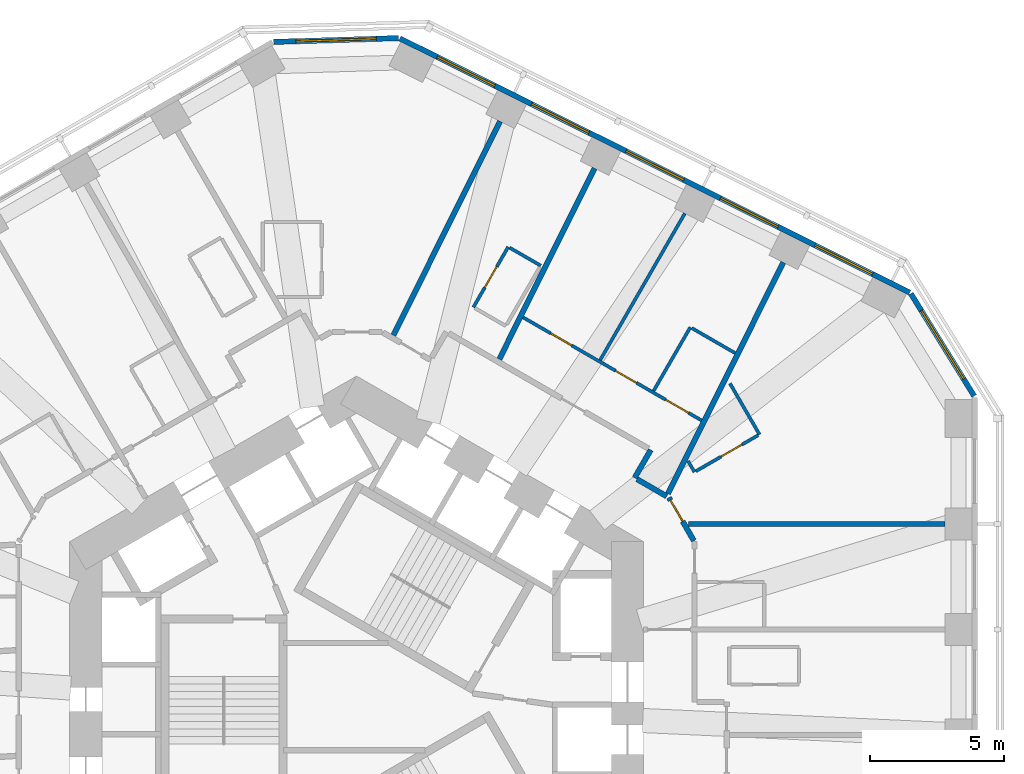
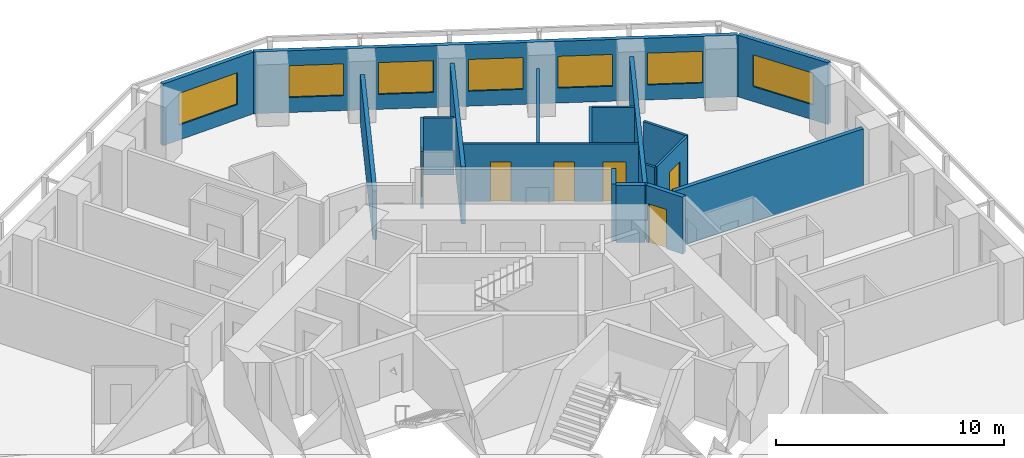
# One storey, part 9 of 12: 19 walls, 7 windows, 6 doors, 13 openings.
"""IFC4 building model written with IfcOpenShell, lengths in metres."""

from ifc_helpers import new_model, si_unit, direction, frame, frame_2d, origin, place, context, subcontext, project, spatial, rectangle, extrude, material, layer, layer_set, type_object, element, fill, save


model = new_model("IFC4")

# Units and contexts
model_context = context("Model", 3, precision=1e-05, world=origin(), true_north=direction((0.0, 1.0)))
body_context = subcontext(model_context, "Body", "Model", "MODEL_VIEW")
ifc_project = project(units=[si_unit("LENGTHUNIT", "METRE"), si_unit("AREAUNIT", "SQUARE_METRE"), si_unit("VOLUMEUNIT", "CUBIC_METRE"), si_unit("PLANEANGLEUNIT", "RADIAN"), si_unit("MASSUNIT", "GRAM", prefix="KILO")], contexts=[model_context])

# Site, building, storey
site_placement = place(None, origin())
site = spatial("IfcSite", under=ifc_project, at=site_placement, CompositionType="ELEMENT")
building_placement = place(site_placement, origin())
building = spatial("IfcBuilding", under=site, at=building_placement, Name="Vanh Sen Convention Tower", CompositionType="ELEMENT")
storey_placement = place(building_placement, frame((0.0, 0.0, 86.89990234375)))
storey = spatial("IfcBuildingStorey", under=building, at=storey_placement, Name="L19", CompositionType="ELEMENT", Elevation=86.89990234375)

# Wall, opening, door
ifc_material_1 = material(Name="Moisture-resistant gypsum board on steel studs", Category="steel")
ifc_layer_1 = layer(ifc_material_1, 0.1201171875)
ifc_layer_set_1 = layer_set([ifc_layer_1], Name="Moisture-resistant gypsum board on steel studs")
wall_type_1 = type_object("IfcWallType", Name="Bathroom partition 120", PredefinedType="PARTITIONING", material=ifc_layer_set_1)
wall_1_placement = place(storey_placement, frame((4.356201171875, 14.922119140625, 0.0), z_axis=(0.0, 0.0, 1.0), x_axis=(0.499936506574, 0.866062058628, 0.0)))
wall_1 = element("IfcWall", 1, at=wall_1_placement, inside=storey, type_object=wall_type_1, Name="Bathroom partition 120", PredefinedType="PARTITIONING", context=body_context, shape_type="SweptSolid", body=[
    extrude(rectangle(XDim=2.599853515625, YDim=0.1201171875, at=frame_2d((1.2998046875, 0.0))), origin(), (0.0, 0.0, 1.0), 3.050048828125),
])
opening_1_placement = place(wall_1_placement, frame((0.85009765625, 0.0, 0.0)))
opening_1 = element("IfcOpeningElement", 2, at=opening_1_placement, cuts=wall_1, Name="Opening D19114", PredefinedType="OPENING", context=body_context, shape_type="SweptSolid", body=[
    extrude(rectangle(XDim=0.89990234375, YDim=2.10009765625, at=frame_2d((0.449951171875, 1.050048828125))), frame((0.0, 0.070068359375, 0.0), z_axis=(0.0, -1.0, 0.0), x_axis=(1.0, 0.0, 0.0)), (0.0, 0.0, 1.0), 0.14013671875),
])
ifc_material_2 = material(Name="Laminate door in steel frame", Category="steel")
door_type_1 = type_object("IfcDoorType", Name="En-suite door 900", OperationType="SINGLE_SWING_LEFT", PredefinedType="DOOR", material=ifc_material_2)
door_1_placement = place(opening_1_placement, origin())
door_1 = element("IfcDoor", 3, at=door_1_placement, inside=storey, type_object=door_type_1, Name="En-suite door D19114", OperationType="SINGLE_SWING_LEFT", OverallHeight=2.10009765625, OverallWidth=0.89990234375, PredefinedType="DOOR", context=body_context, shape_type="SweptSolid", body=[
    extrude(rectangle(XDim=0.89990234375, YDim=2.10009765625, at=frame_2d((0.449951171875, 1.050048828125))), frame((0.0, 0.02490234375, 0.0), z_axis=(0.0, -1.0, 0.0), x_axis=(1.0, 0.0, 0.0)), (0.0, 0.0, 1.0), 0.050048828125),
])
fill(opening_1, door_1)

# Walls
wall_2_placement = place(storey_placement, frame((5.7080078125, 17.143798828125, 0.0), z_axis=(0.0, 0.0, 1.0), x_axis=(0.866082447003, -0.499901185229, 0.0)))
element("IfcWall", 4, at=wall_2_placement, inside=storey, type_object=wall_type_1, Name="Bathroom partition 120", PredefinedType="PARTITIONING", context=body_context, shape_type="SweptSolid", body=[
    extrude(rectangle(XDim=1.340087890625, YDim=0.1201171875, at=frame_2d((0.669921875, 0.0))), origin(), (0.0, 0.0, 1.0), 3.050048828125),
])
wall_3_placement = place(storey_placement, frame((12.2431640625, 18.422607421875, 0.0), z_axis=(0.0, 0.0, 1.0), x_axis=(-0.499993523031, -0.866029143232, 0.0)))
element("IfcWall", 5, at=wall_3_placement, inside=storey, type_object=wall_type_1, Name="Bathroom partition 120", PredefinedType="PARTITIONING", context=body_context, shape_type="SweptSolid", body=[
    extrude(rectangle(XDim=6.31494140625, YDim=0.1201171875, at=frame_2d((3.157470703125, 0.0))), origin(), (0.0, 0.0, 1.0), 2.60009765625),
])
wall_4_placement = place(storey_placement, frame((12.447509765625, 14.176513671875, 0.0), z_axis=(0.0, 0.0, 1.0), x_axis=(-0.500048966069, -0.865997131366, 0.0)))
element("IfcWall", 6, at=wall_4_placement, inside=storey, type_object=wall_type_1, Name="Bathroom partition 120", PredefinedType="PARTITIONING", context=body_context, shape_type="SweptSolid", body=[
    extrude(rectangle(XDim=2.739990234375, YDim=0.1201171875, at=frame_2d((1.3701171875, 0.0))), origin(), (0.0, 0.0, 1.0), 3.050048828125),
])
wall_5_placement = place(storey_placement, frame((12.600830078125, 8.776123046875, 0.0), z_axis=(0.0, 0.0, 1.0), x_axis=(-0.500166486798, 0.865929261247, 0.0)))
element("IfcWall", 7, at=wall_5_placement, inside=storey, type_object=wall_type_1, Name="Bathroom partition 120", PredefinedType="PARTITIONING", context=body_context, shape_type="SweptSolid", body=[
    extrude(rectangle(XDim=0.475830078125, YDim=0.1201171875, at=frame_2d((0.23779296875, 0.0))), origin(), (0.0, 0.0, 1.0), 3.050048828125),
])

# Wall, openings, doors
wall_6_placement = place(storey_placement, frame((12.8662109375, 10.70166015625, 0.0), z_axis=(0.0, 0.0, 1.0), x_axis=(-0.866023151433, 0.500003901167, 0.0)))
wall_6 = element("IfcWall", 8, at=wall_6_placement, inside=storey, type_object=wall_type_1, Name="Bathroom partition 120", PredefinedType="PARTITIONING", context=body_context, shape_type="SweptSolid", body=[
    extrude(rectangle(XDim=7.68408203125, YDim=0.1201171875, at=frame_2d((3.842041015625, 0.0))), origin(), (0.0, 0.0, 1.0), 3.050048828125),
])
opening_2_placement = place(wall_6_placement, frame((0.550048828125, 0.0, 0.0)))
opening_2 = element("IfcOpeningElement", 9, at=opening_2_placement, cuts=wall_6, Name="Opening D19110", PredefinedType="OPENING", context=body_context, shape_type="SweptSolid", body=[
    extrude(rectangle(XDim=1.0, YDim=2.10009765625, at=frame_2d((0.5, 1.050048828125))), frame((0.0, 0.070068359375, 0.0), z_axis=(0.0, -1.0, 0.0), x_axis=(1.0, 0.0, 0.0)), (0.0, 0.0, 1.0), 0.14013671875),
])
opening_3_placement = place(wall_6_placement, frame((2.800048828125, 0.0, 0.0)))
opening_3 = element("IfcOpeningElement", 10, at=opening_3_placement, cuts=wall_6, Name="Opening D19111", PredefinedType="OPENING", context=body_context, shape_type="SweptSolid", body=[
    extrude(rectangle(XDim=0.89990234375, YDim=2.10009765625, at=frame_2d((0.449951171875, 1.050048828125))), frame((0.0, 0.070068359375, 0.0), z_axis=(0.0, -1.0, 0.0), x_axis=(1.0, 0.0, 0.0)), (0.0, 0.0, 1.0), 0.14013671875),
])
opening_4_placement = place(wall_6_placement, frame((5.592041015625, 0.0, 0.0)))
opening_4 = element("IfcOpeningElement", 11, at=opening_4_placement, cuts=wall_6, Name="Opening D19112", PredefinedType="OPENING", context=body_context, shape_type="SweptSolid", body=[
    extrude(rectangle(XDim=0.89990234375, YDim=2.10009765625, at=frame_2d((0.449951171875, 1.050048828125))), frame((0.0, 0.070068359375, 0.0), z_axis=(0.0, -1.0, 0.0), x_axis=(1.0, 0.0, 0.0)), (0.0, 0.0, 1.0), 0.14013671875),
])
door_type_2 = type_object("IfcDoorType", Name="Accessible WC door 1000", OperationType="SINGLE_SWING_LEFT", PredefinedType="DOOR", material=ifc_material_2)
door_2_placement = place(opening_2_placement, origin())
door_2 = element("IfcDoor", 12, at=door_2_placement, inside=storey, type_object=door_type_2, Name="Accessible WC door D19110", OperationType="SINGLE_SWING_LEFT", OverallHeight=2.10009765625, OverallWidth=1.0, PredefinedType="DOOR", context=body_context, shape_type="SweptSolid", body=[
    extrude(rectangle(XDim=1.0, YDim=2.10009765625, at=frame_2d((0.5, 1.050048828125))), frame((0.0, 0.02490234375, 0.0), z_axis=(0.0, -1.0, 0.0), x_axis=(1.0, 0.0, 0.0)), (0.0, 0.0, 1.0), 0.050048828125),
])
fill(opening_2, door_2)
door_type_3 = type_object("IfcDoorType", Name="Room internal door 900", OperationType="SINGLE_SWING_LEFT", PredefinedType="DOOR", material=ifc_material_2)
door_3_placement = place(opening_3_placement, origin())
door_3 = element("IfcDoor", 13, at=door_3_placement, inside=storey, type_object=door_type_3, Name="Internal room door D19111", OperationType="SINGLE_SWING_LEFT", OverallHeight=2.10009765625, OverallWidth=0.89990234375, PredefinedType="DOOR", context=body_context, shape_type="SweptSolid", body=[
    extrude(rectangle(XDim=0.89990234375, YDim=2.10009765625, at=frame_2d((0.449951171875, 1.050048828125))), frame((0.0, 0.02490234375, 0.0), z_axis=(0.0, -1.0, 0.0), x_axis=(1.0, 0.0, 0.0)), (0.0, 0.0, 1.0), 0.050048828125),
])
fill(opening_3, door_3)
door_4_placement = place(opening_4_placement, origin())
door_4 = element("IfcDoor", 14, at=door_4_placement, inside=storey, type_object=door_type_3, Name="Internal room door D19112", OperationType="SINGLE_SWING_LEFT", OverallHeight=2.10009765625, OverallWidth=0.89990234375, PredefinedType="DOOR", context=body_context, shape_type="SweptSolid", body=[
    extrude(rectangle(XDim=0.89990234375, YDim=2.10009765625, at=frame_2d((0.449951171875, 1.050048828125))), frame((0.0, 0.02490234375, 0.0), z_axis=(0.0, -1.0, 0.0), x_axis=(1.0, 0.0, 0.0)), (0.0, 0.0, 1.0), 0.050048828125),
])
fill(opening_4, door_4)

# Walls
wall_7_placement = place(storey_placement, frame((13.92578125, 12.081298828125, 0.0), z_axis=(0.0, 0.0, 1.0), x_axis=(0.499994660107, -0.866028486751, 0.0)))
element("IfcWall", 15, at=wall_7_placement, inside=storey, type_object=wall_type_1, Name="Bathroom partition 120", PredefinedType="PARTITIONING", context=body_context, shape_type="SweptSolid", body=[
    extrude(rectangle(XDim=2.19970703125, YDim=0.1201171875, at=frame_2d((1.099853515625, 0.0))), origin(), (0.0, 0.0, 1.0), 3.050048828125),
])
wall_8_placement = place(storey_placement, frame((14.117919921875, 13.212158203125, 0.0), z_axis=(0.0, 0.0, 1.0), x_axis=(-0.866039825209, 0.499975020527, 0.0)))
element("IfcWall", 16, at=wall_8_placement, inside=storey, type_object=wall_type_1, Name="Bathroom partition 120", PredefinedType="PARTITIONING", context=body_context, shape_type="SweptSolid", body=[
    extrude(rectangle(XDim=1.86865234375, YDim=0.1201171875, at=frame_2d((0.934326171875, 0.0))), origin(), (0.0, 0.0, 1.0), 3.050048828125),
])

# Wall, opening, door
wall_9_placement = place(storey_placement, frame((14.9736328125, 10.146240234375, 0.0), z_axis=(0.0, 0.0, 1.0), x_axis=(-0.86599746015, -0.500048396672, 0.0)))
wall_9 = element("IfcWall", 17, at=wall_9_placement, inside=storey, type_object=wall_type_1, Name="Bathroom partition 120", PredefinedType="PARTITIONING", context=body_context, shape_type="SweptSolid", body=[
    extrude(rectangle(XDim=2.679931640625, YDim=0.1201171875, at=frame_2d((1.33984375, 0.0))), origin(), (0.0, 0.0, 1.0), 3.050048828125),
])
opening_5_placement = place(wall_9_placement, frame((0.68994140625, 0.0, 0.0)))
opening_5 = element("IfcOpeningElement", 18, at=opening_5_placement, cuts=wall_9, Name="Opening D19108", PredefinedType="OPENING", context=body_context, shape_type="SweptSolid", body=[
    extrude(rectangle(XDim=0.89990234375, YDim=2.10009765625, at=frame_2d((0.449951171875, 1.050048828125))), frame((0.0, 0.070068359375, 0.0), z_axis=(0.0, -1.0, 0.0), x_axis=(1.0, 0.0, 0.0)), (0.0, 0.0, 1.0), 0.14013671875),
])
door_5_placement = place(opening_5_placement, origin())
door_5 = element("IfcDoor", 19, at=door_5_placement, inside=storey, type_object=door_type_1, Name="En-suite door D19108", OperationType="SINGLE_SWING_LEFT", OverallHeight=2.10009765625, OverallWidth=0.89990234375, PredefinedType="DOOR", context=body_context, shape_type="SweptSolid", body=[
    extrude(rectangle(XDim=0.89990234375, YDim=2.10009765625, at=frame_2d((0.449951171875, 1.050048828125))), frame((0.0, 0.02490234375, 0.0), z_axis=(0.0, -1.0, 0.0), x_axis=(1.0, 0.0, 0.0)), (0.0, 0.0, 1.0), 0.050048828125),
])
fill(opening_5, door_5)

# Walls
ifc_material_3 = material(Name="Gypsum board on steel studs with mineral wool", Category="steel")
ifc_layer_2 = layer(ifc_material_3, 0.199951171875)
ifc_layer_set_2 = layer_set([ifc_layer_2], Name="Gypsum board on steel studs with mineral wool")
wall_type_2 = type_object("IfcWallType", Name="Corridor partition wall 200", PredefinedType="PARTITIONING", material=ifc_layer_set_2)
wall_10_placement = place(storey_placement, frame((10.37109375, 8.561279296875, 0.0), z_axis=(0.0, 0.0, 1.0), x_axis=(0.499986357472, 0.866033280158, 0.0)))
element("IfcWall", 20, at=wall_10_placement, inside=storey, type_object=wall_type_2, Name="Corridor partition wall 200", PredefinedType="PARTITIONING", context=body_context, shape_type="SweptSolid", body=[
    extrude(rectangle(XDim=1.201171875, YDim=0.199951171875, at=frame_2d((0.6005859375, 0.0))), origin(), (0.0, 0.0, 1.0), 3.050048828125),
])
wall_11_placement = place(storey_placement, frame((11.56640625, 7.871337890625, 0.0), z_axis=(0.0, 0.0, 1.0), x_axis=(-0.866004557827, 0.500036104519, 0.0)))
element("IfcWall", 21, at=wall_11_placement, inside=storey, type_object=wall_type_2, Name="Corridor partition wall 200", PredefinedType="PARTITIONING", context=body_context, shape_type="SweptSolid", body=[
    extrude(rectangle(XDim=1.2802734375, YDim=0.199951171875, at=frame_2d((0.64013671875, 0.0))), origin(), (0.0, 0.0, 1.0), 3.050048828125),
])

# Wall, opening, door
wall_12_placement = place(storey_placement, frame((12.580078125, 6.212158203125, 0.0), z_axis=(0.0, 0.0, 1.0), x_axis=(-0.500063286585, 0.865988862174, 0.0)))
wall_12 = element("IfcWall", 22, at=wall_12_placement, inside=storey, type_object=wall_type_2, Name="Corridor partition wall 200", PredefinedType="PARTITIONING", context=body_context, shape_type="SweptSolid", body=[
    extrude(rectangle(XDim=1.860107421875, YDim=0.199951171875, at=frame_2d((0.93017578125, 0.0))), origin(), (0.0, 0.0, 1.0), 3.050048828125),
])
opening_6_placement = place(wall_12_placement, frame((0.841796875, 0.0, 0.0)))
opening_6 = element("IfcOpeningElement", 23, at=opening_6_placement, cuts=wall_12, Name="Opening D19107", PredefinedType="OPENING", context=body_context, shape_type="SweptSolid", body=[
    extrude(rectangle(XDim=0.89990234375, YDim=2.10009765625, at=frame_2d((0.449951171875, 1.050048828125))), frame((0.0, 0.10986328125, 0.0), z_axis=(0.0, -1.0, 0.0), x_axis=(1.0, 0.0, 0.0)), (0.0, 0.0, 1.0), 0.219970703125),
])
ifc_material_4 = material(Name="Timber fire door in steel frame", Category="steel")
door_type_4 = type_object("IfcDoorType", Name="Guest room door 900", OperationType="SINGLE_SWING_LEFT", PredefinedType="DOOR", material=ifc_material_4)
door_6_placement = place(opening_6_placement, origin())
door_6 = element("IfcDoor", 24, at=door_6_placement, inside=storey, type_object=door_type_4, Name="Hotel guest room door D19107", OperationType="SINGLE_SWING_LEFT", OverallHeight=2.10009765625, OverallWidth=0.89990234375, PredefinedType="DOOR", context=body_context, shape_type="SweptSolid", body=[
    extrude(rectangle(XDim=0.89990234375, YDim=2.10009765625, at=frame_2d((0.449951171875, 1.050048828125))), frame((0.0, 0.02490234375, 0.0), z_axis=(0.0, -1.0, 0.0), x_axis=(1.0, 0.0, 0.0)), (0.0, 0.0, 1.0), 0.050048828125),
])
fill(opening_6, door_6)

# Wall, opening, window
ifc_material_5 = material(Name="Insulated lightweight infill wall")
ifc_layer_3 = layer(ifc_material_5, 0.199951171875)
ifc_layer_set_3 = layer_set([ifc_layer_3], Name="Insulated lightweight infill wall")
wall_type_3 = type_object("IfcWallType", Name="External wall 200", PredefinedType="STANDARD", material=ifc_layer_set_3)
wall_13_placement = place(storey_placement, frame((23.034912109375, 11.612060546875, 0.0), z_axis=(0.0, 0.0, 1.0), x_axis=(-0.526160091227, 0.850385535155, 0.0)))
wall_13 = element("IfcWall", 25, at=wall_13_placement, inside=storey, type_object=wall_type_3, Name="External wall CH1 L19", PredefinedType="STANDARD", context=body_context, shape_type="SweptSolid", body=[
    extrude(rectangle(XDim=4.493896484375, YDim=0.199951171875, at=frame_2d((2.2470703125, 0.0))), origin(), (0.0, 0.0, 1.0), 3.300048828125),
])
opening_7_placement = place(wall_13_placement, frame((0.746826171875, 0.0, 0.800048828125)))
opening_7 = element("IfcOpeningElement", 26, at=opening_7_placement, cuts=wall_13, Name="Opening WH2-CH11", PredefinedType="OPENING", context=body_context, shape_type="SweptSolid", body=[
    extrude(rectangle(XDim=3.0, YDim=1.699951171875, at=frame_2d((1.5, 0.85009765625))), frame((0.0, 0.10986328125, 0.0), z_axis=(0.0, -1.0, 0.0), x_axis=(1.0, 0.0, 0.0)), (0.0, 0.0, 1.0), 0.219970703125),
])
ifc_material_6 = material(Name="Aluminium frame with clear low-emissivity glass", Category="aluminium")
window_type_1 = type_object("IfcWindowType", Name="Hotel window 3000 x 1700", PartitioningType="SINGLE_PANEL", PredefinedType="WINDOW", material=ifc_material_6)
window_1_placement = place(opening_7_placement, origin())
window_1 = element("IfcWindow", 27, at=window_1_placement, inside=storey, type_object=window_type_1, Name="Window WH2-CH11", OverallHeight=1.699951171875, OverallWidth=3.0, PartitioningType="SINGLE_PANEL", PredefinedType="WINDOW", context=body_context, shape_type="SweptSolid", body=[
    extrude(rectangle(XDim=3.0, YDim=1.699951171875, at=frame_2d((1.5, 0.85009765625))), frame((0.0, 0.030029296875, 0.0), z_axis=(0.0, -1.0, 0.0), x_axis=(1.0, 0.0, 0.0)), (0.0, 0.0, 1.0), 0.06005859375),
])
fill(opening_7, window_1)

# Wall, openings, windows
wall_14_placement = place(storey_placement, frame((20.6298828125, 15.470458984375, 0.0), z_axis=(0.0, 0.0, 1.0), x_axis=(-0.894934518609, 0.446197498203, 0.0)))
wall_14 = element("IfcWall", 28, at=wall_14_placement, inside=storey, type_object=wall_type_3, Name="External wall NE L19", PredefinedType="STANDARD", context=body_context, shape_type="SweptSolid", body=[
    extrude(rectangle(XDim=21.24609375, YDim=0.199951171875, at=frame_2d((10.623046875, 0.0))), origin(), (0.0, 0.0, 1.0), 3.300048828125),
])
opening_8_placement = place(wall_14_placement, frame((1.552978515625, 0.0, 0.800048828125)))
opening_8 = element("IfcOpeningElement", 29, at=opening_8_placement, cuts=wall_14, Name="Opening WH1-NE1", PredefinedType="OPENING", context=body_context, shape_type="SweptSolid", body=[
    extrude(rectangle(XDim=2.39990234375, YDim=1.699951171875, at=frame_2d((1.199951171875, 0.85009765625))), frame((0.0, 0.10986328125, 0.0), z_axis=(0.0, -1.0, 0.0), x_axis=(1.0, 0.0, 0.0)), (0.0, 0.0, 1.0), 0.219970703125),
])
opening_9_placement = place(wall_14_placement, frame((5.48779296875, 0.0, 0.800048828125)))
opening_9 = element("IfcOpeningElement", 30, at=opening_9_placement, cuts=wall_14, Name="Opening WH1-NE2", PredefinedType="OPENING", context=body_context, shape_type="SweptSolid", body=[
    extrude(rectangle(XDim=2.39990234375, YDim=1.699951171875, at=frame_2d((1.199951171875, 0.85009765625))), frame((0.0, 0.10986328125, 0.0), z_axis=(0.0, -1.0, 0.0), x_axis=(1.0, 0.0, 0.0)), (0.0, 0.0, 1.0), 0.219970703125),
])
opening_10_placement = place(wall_14_placement, frame((9.42236328125, 0.0, 0.800048828125)))
opening_10 = element("IfcOpeningElement", 31, at=opening_10_placement, cuts=wall_14, Name="Opening WH1-NE3", PredefinedType="OPENING", context=body_context, shape_type="SweptSolid", body=[
    extrude(rectangle(XDim=2.39990234375, YDim=1.699951171875, at=frame_2d((1.199951171875, 0.85009765625))), frame((0.0, 0.10986328125, 0.0), z_axis=(0.0, -1.0, 0.0), x_axis=(1.0, 0.0, 0.0)), (0.0, 0.0, 1.0), 0.219970703125),
])
opening_11_placement = place(wall_14_placement, frame((13.35693359375, 0.0, 0.800048828125)))
opening_11 = element("IfcOpeningElement", 32, at=opening_11_placement, cuts=wall_14, Name="Opening WH1-NE4", PredefinedType="OPENING", context=body_context, shape_type="SweptSolid", body=[
    extrude(rectangle(XDim=2.39990234375, YDim=1.699951171875, at=frame_2d((1.199951171875, 0.85009765625))), frame((0.0, 0.10986328125, 0.0), z_axis=(0.0, -1.0, 0.0), x_axis=(1.0, 0.0, 0.0)), (0.0, 0.0, 1.0), 0.219970703125),
])
opening_12_placement = place(wall_14_placement, frame((17.29150390625, 0.0, 0.800048828125)))
opening_12 = element("IfcOpeningElement", 33, at=opening_12_placement, cuts=wall_14, Name="Opening WH1-NE5", PredefinedType="OPENING", context=body_context, shape_type="SweptSolid", body=[
    extrude(rectangle(XDim=2.39990234375, YDim=1.699951171875, at=frame_2d((1.199951171875, 0.85009765625))), frame((0.0, 0.10986328125, 0.0), z_axis=(0.0, -1.0, 0.0), x_axis=(1.0, 0.0, 0.0)), (0.0, 0.0, 1.0), 0.219970703125),
])
window_type_2 = type_object("IfcWindowType", Name="Hotel window 2400 x 1700", PartitioningType="SINGLE_PANEL", PredefinedType="WINDOW", material=ifc_material_6)
window_2_placement = place(opening_8_placement, origin())
window_2 = element("IfcWindow", 34, at=window_2_placement, inside=storey, type_object=window_type_2, Name="Window WH1-NE1", OverallHeight=1.699951171875, OverallWidth=2.39990234375, PartitioningType="SINGLE_PANEL", PredefinedType="WINDOW", context=body_context, shape_type="SweptSolid", body=[
    extrude(rectangle(XDim=2.39990234375, YDim=1.699951171875, at=frame_2d((1.199951171875, 0.85009765625))), frame((0.0, 0.030029296875, 0.0), z_axis=(0.0, -1.0, 0.0), x_axis=(1.0, 0.0, 0.0)), (0.0, 0.0, 1.0), 0.06005859375),
])
fill(opening_8, window_2)
window_3_placement = place(opening_9_placement, origin())
window_3 = element("IfcWindow", 35, at=window_3_placement, inside=storey, type_object=window_type_2, Name="Window WH1-NE2", OverallHeight=1.699951171875, OverallWidth=2.39990234375, PartitioningType="SINGLE_PANEL", PredefinedType="WINDOW", context=body_context, shape_type="SweptSolid", body=[
    extrude(rectangle(XDim=2.39990234375, YDim=1.699951171875, at=frame_2d((1.199951171875, 0.85009765625))), frame((0.0, 0.030029296875, 0.0), z_axis=(0.0, -1.0, 0.0), x_axis=(1.0, 0.0, 0.0)), (0.0, 0.0, 1.0), 0.06005859375),
])
fill(opening_9, window_3)
window_4_placement = place(opening_10_placement, origin())
window_4 = element("IfcWindow", 36, at=window_4_placement, inside=storey, type_object=window_type_2, Name="Window WH1-NE3", OverallHeight=1.699951171875, OverallWidth=2.39990234375, PartitioningType="SINGLE_PANEL", PredefinedType="WINDOW", context=body_context, shape_type="SweptSolid", body=[
    extrude(rectangle(XDim=2.39990234375, YDim=1.699951171875, at=frame_2d((1.199951171875, 0.85009765625))), frame((0.0, 0.030029296875, 0.0), z_axis=(0.0, -1.0, 0.0), x_axis=(1.0, 0.0, 0.0)), (0.0, 0.0, 1.0), 0.06005859375),
])
fill(opening_10, window_4)
window_5_placement = place(opening_11_placement, origin())
window_5 = element("IfcWindow", 37, at=window_5_placement, inside=storey, type_object=window_type_2, Name="Window WH1-NE4", OverallHeight=1.699951171875, OverallWidth=2.39990234375, PartitioningType="SINGLE_PANEL", PredefinedType="WINDOW", context=body_context, shape_type="SweptSolid", body=[
    extrude(rectangle(XDim=2.39990234375, YDim=1.699951171875, at=frame_2d((1.199951171875, 0.85009765625))), frame((0.0, 0.030029296875, 0.0), z_axis=(0.0, -1.0, 0.0), x_axis=(1.0, 0.0, 0.0)), (0.0, 0.0, 1.0), 0.06005859375),
])
fill(opening_11, window_5)
window_6_placement = place(opening_12_placement, origin())
window_6 = element("IfcWindow", 38, at=window_6_placement, inside=storey, type_object=window_type_2, Name="Window WH1-NE5", OverallHeight=1.699951171875, OverallWidth=2.39990234375, PartitioningType="SINGLE_PANEL", PredefinedType="WINDOW", context=body_context, shape_type="SweptSolid", body=[
    extrude(rectangle(XDim=2.39990234375, YDim=1.699951171875, at=frame_2d((1.199951171875, 0.85009765625))), frame((0.0, 0.030029296875, 0.0), z_axis=(0.0, -1.0, 0.0), x_axis=(1.0, 0.0, 0.0)), (0.0, 0.0, 1.0), 0.06005859375),
])
fill(opening_12, window_6)

# Wall, opening, window
wall_15_placement = place(storey_placement, frame((1.568359375, 24.9609375, 0.0), z_axis=(0.0, 0.0, 1.0), x_axis=(-0.999533359013, -0.030546099927, 0.0)))
wall_15 = element("IfcWall", 39, at=wall_15_placement, inside=storey, type_object=wall_type_3, Name="External wall CH2 L19", PredefinedType="STANDARD", context=body_context, shape_type="SweptSolid", body=[
    extrude(rectangle(XDim=4.65966796875, YDim=0.199951171875, at=frame_2d((2.329833984375, 0.0))), origin(), (0.0, 0.0, 1.0), 3.300048828125),
])
opening_13_placement = place(wall_15_placement, frame((0.829833984375, 0.0, 0.800048828125)))
opening_13 = element("IfcOpeningElement", 40, at=opening_13_placement, cuts=wall_15, Name="Opening WH2-CH21", PredefinedType="OPENING", context=body_context, shape_type="SweptSolid", body=[
    extrude(rectangle(XDim=3.0, YDim=1.699951171875, at=frame_2d((1.5, 0.85009765625))), frame((0.0, 0.10986328125, 0.0), z_axis=(0.0, -1.0, 0.0), x_axis=(1.0, 0.0, 0.0)), (0.0, 0.0, 1.0), 0.219970703125),
])
window_7_placement = place(opening_13_placement, origin())
window_7 = element("IfcWindow", 41, at=window_7_placement, inside=storey, type_object=window_type_1, Name="Window WH2-CH21", OverallHeight=1.699951171875, OverallWidth=3.0, PartitioningType="SINGLE_PANEL", PredefinedType="WINDOW", context=body_context, shape_type="SweptSolid", body=[
    extrude(rectangle(XDim=3.0, YDim=1.699951171875, at=frame_2d((1.5, 0.85009765625))), frame((0.0, 0.030029296875, 0.0), z_axis=(0.0, -1.0, 0.0), x_axis=(1.0, 0.0, 0.0)), (0.0, 0.0, 1.0), 0.06005859375),
])
fill(opening_13, window_7)

# Walls
ifc_layer_4 = layer(ifc_material_3, 0.199951171875)
ifc_layer_set_4 = layer_set([ifc_layer_4], Name="Gypsum board on steel studs with mineral wool")
wall_type_4 = type_object("IfcWallType", Name="Hotel party wall 200", PredefinedType="PARTITIONING", material=ifc_layer_set_4)
wall_16_placement = place(storey_placement, frame((5.35107421875, 21.859130859375, 0.0), z_axis=(0.0, 0.0, 1.0), x_axis=(-0.446205309328, -0.894930624086, 0.0)))
element("IfcWall", 42, at=wall_16_placement, inside=storey, type_object=wall_type_4, Name="Hotel party wall 200", PredefinedType="PARTITIONING", context=body_context, shape_type="SweptSolid", body=[
    extrude(rectangle(XDim=8.9130859375, YDim=0.199951171875, at=frame_2d((4.45654296875, 0.0))), origin(), (0.0, 0.0, 1.0), 2.60009765625),
])
wall_17_placement = place(storey_placement, frame((8.872314453125, 20.103515625, 0.0), z_axis=(0.0, 0.0, 1.0), x_axis=(-0.446218378653, -0.894924107706, 0.0)))
element("IfcWall", 43, at=wall_17_placement, inside=storey, type_object=wall_type_4, Name="Hotel party wall 200", PredefinedType="PARTITIONING", context=body_context, shape_type="SweptSolid", body=[
    extrude(rectangle(XDim=7.950439453125, YDim=0.199951171875, at=frame_2d((3.97509765625, 0.0))), origin(), (0.0, 0.0, 1.0), 3.050048828125),
])
wall_18_placement = place(storey_placement, frame((15.91455078125, 16.59228515625, 0.0), z_axis=(0.0, 0.0, 1.0), x_axis=(-0.446199736347, -0.894933402709, 0.0)))
element("IfcWall", 44, at=wall_18_placement, inside=storey, type_object=wall_type_4, Name="Hotel party wall 200", PredefinedType="PARTITIONING", context=body_context, shape_type="SweptSolid", body=[
    extrude(rectangle(XDim=9.634765625, YDim=0.199951171875, at=frame_2d((4.8173828125, 0.0))), origin(), (0.0, 0.0, 1.0), 3.050048828125),
])
wall_19_placement = place(storey_placement, frame((21.949951171875, 6.839111328125, 0.0), z_axis=(0.0, 0.0, 1.0), x_axis=(-1.0, 0.0, 0.0)))
element("IfcWall", 45, at=wall_19_placement, inside=storey, type_object=wall_type_4, Name="Hotel party wall 200", PredefinedType="PARTITIONING", context=body_context, shape_type="SweptSolid", body=[
    extrude(rectangle(XDim=9.57177734375, YDim=0.199951171875, at=frame_2d((4.785888671875, 0.0))), origin(), (0.0, 0.0, 1.0), 3.050048828125),
])

save(model, "model.ifc")
